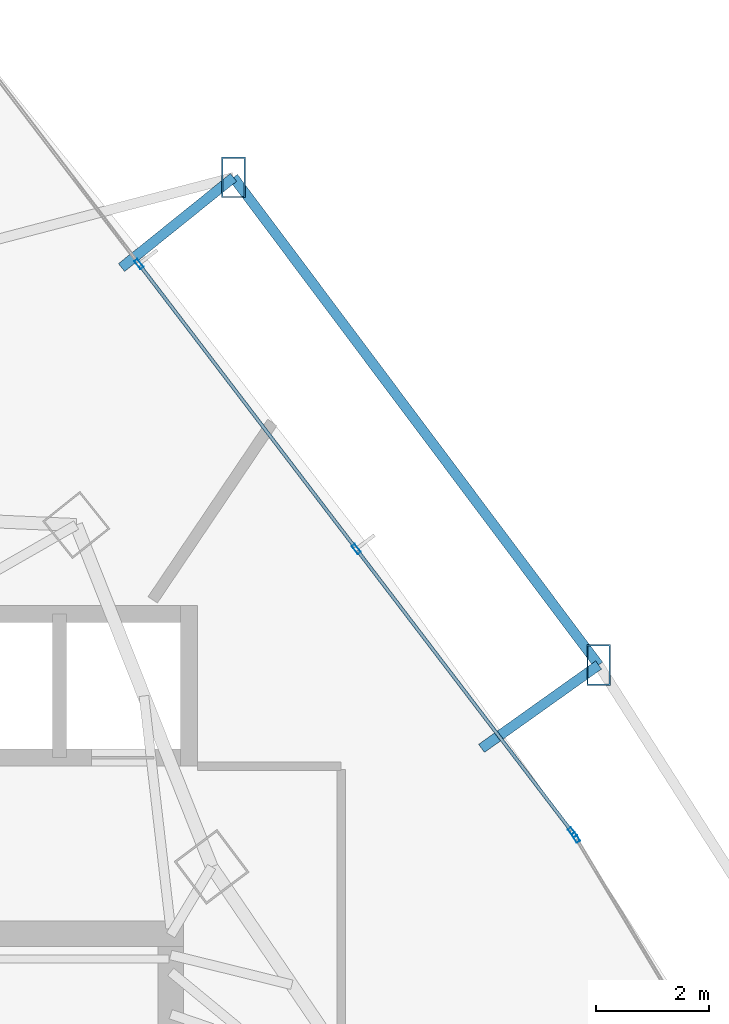
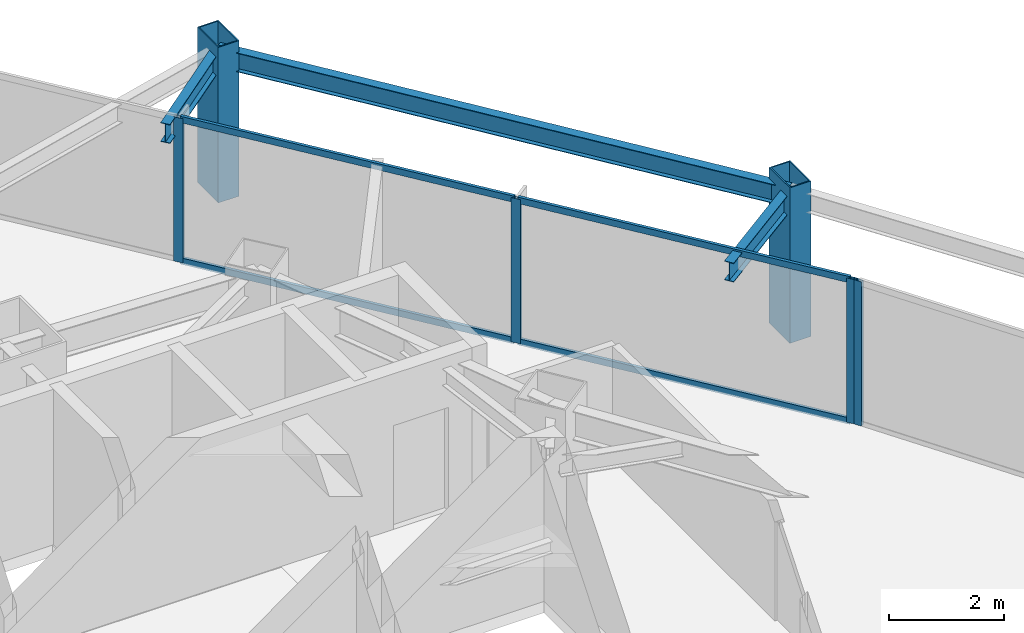
# One storey, part 29 of 37: 10 members, 3 beams, 2 elements without a shape of their own.
"""IFC4 building model written with IfcOpenShell, lengths in metres."""

from ifc_helpers import new_model, si_unit, direction, frame, origin, origin_2d, place, context, subcontext, project, spatial, hollow_rectangle, i_section, extrude, material, layer, layer_set, material_profile, profile_set, type_object, element, aggregate, save


model = new_model("IFC4")

# Units and contexts
model_context = context("Model", 3, precision=1e-05, world=origin(), true_north=direction((0.0, 1.0)))
body_context = subcontext(model_context, "Body", "Model", "MODEL_VIEW")
ifc_project = project(units=[si_unit("LENGTHUNIT", "METRE"), si_unit("AREAUNIT", "SQUARE_METRE"), si_unit("VOLUMEUNIT", "CUBIC_METRE"), si_unit("PLANEANGLEUNIT", "RADIAN"), si_unit("MASSUNIT", "GRAM", prefix="KILO")], contexts=[model_context])

# Site, building, storey
site_placement = place(None, origin())
site = spatial("IfcSite", under=ifc_project, at=site_placement, CompositionType="ELEMENT")
building_placement = place(site_placement, origin())
building = spatial("IfcBuilding", under=site, at=building_placement, Name="Orvanel Arch Residences", CompositionType="ELEMENT")
storey_placement = place(building_placement, frame((0.0, 0.0, 53.300048828125)))
storey = spatial("IfcBuildingStorey", under=building, at=storey_placement, Name="L14", CompositionType="ELEMENT", Elevation=53.300048828125)

# Members
ifc_material_1 = material(Name="Structural steel AS/NZS 3678 Grade 350", Category="steel")
ifc_material_profile_1 = material_profile(ifc_material_1, hollow_rectangle(XDim=0.419921875, YDim=0.719970703125, WallThickness=0.02490234375, at=origin_2d()), Name="RHS720x420x25")
ifc_profile_set_1 = profile_set([ifc_material_profile_1], Name="Structural steel AS/NZS 3678 Grade 350")
member_type_1 = type_object("IfcMemberType", Name="CH-720RHS-EXT", PredefinedType="CHORD", material=ifc_profile_set_1)
for number, where, z_axis, x_axis, name in (
    (1, (47.217041015625, 38.694091796875, 0.0), (0.0, 0.0, 1.0), (1.0, 0.0, 0.0), "L14 Outer Perimeter Frame Post 11"),
    (2, (40.739990234375, 47.343994140625, 0.0), (0.0, 0.0, 1.0), (1.0, 0.0, 0.0), "L14 Outer Perimeter Frame Post 12"),
):
    element("IfcMember", number, at=place(storey_placement, frame(where, z_axis=z_axis, x_axis=x_axis)), inside=storey, type_object=member_type_1, Name=name, PredefinedType="CHORD", context=body_context, shape_type="SweptSolid", body=[
        extrude(hollow_rectangle(XDim=0.419921875, YDim=0.719970703125, WallThickness=0.02490234375, at=origin_2d()), origin(), (0.0, 0.0, 1.0), 3.300048828125),
    ])

# Curtain wall, member
ifc_material_2 = material(Name="Bronze-anodised aluminium AA6063-T6", Category="aluminium")
ifc_layer = layer(ifc_material_2, 0.179931640625)
ifc_layer_set = layer_set([ifc_layer], Name="Bronze-anodised aluminium AA6063-T6")
curtain_wall_type = type_object("IfcCurtainWallType", Name="CW2-LOW-SYS", PredefinedType="NOTDEFINED", material=ifc_layer_set)
curtain_wall_1_placement = place(storey_placement, origin())
curtain_wall_1 = element("IfcCurtainWall", 3, at=curtain_wall_1_placement, inside=storey, type_object=curtain_wall_type, Name="L14 CW2-LOW-SYS Unitised Curtain Wall", PredefinedType="NOTDEFINED")
ifc_material_profile_2 = material_profile(ifc_material_2, hollow_rectangle(XDim=0.070068359375, YDim=0.179931640625, WallThickness=0.00439453125, at=origin_2d()), Name="ALU180x70x4.5")
ifc_profile_set_2 = profile_set([ifc_material_profile_2], Name="Bronze-anodised aluminium AA6063-T6")
member_type_2 = type_object("IfcMemberType", Name="MUL-180x70", PredefinedType="MULLION", material=ifc_profile_set_2)
member_1_placement = place(storey_placement, frame((46.81298828125, 35.634033203125, 0.0), z_axis=(0.0, 0.0, 1.0), x_axis=(-0.857569793125, -0.514367621375, 0.0)))
member_1 = element("IfcMember", 4, at=member_1_placement, type_object=member_type_2, Name="CW-S2 mullion 3", PredefinedType="MULLION", context=body_context, shape_type="SweptSolid", body=[
    extrude(hollow_rectangle(XDim=0.070068359375, YDim=0.179931640625, WallThickness=0.00439453125, at=origin_2d()), origin(), (0.0, 0.0, 1.0), 3.06005859375),
])
aggregate(curtain_wall_1, [member_1])

# Curtain wall, members
curtain_wall_2_placement = place(storey_placement, origin())
curtain_wall_2 = element("IfcCurtainWall", 5, at=curtain_wall_2_placement, inside=storey, type_object=curtain_wall_type, Name="L14 CW2-LOW-SYS Unitised Curtain Wall", PredefinedType="NOTDEFINED")
member_2_placement = place(storey_placement, frame((46.751708984375, 35.724853515625, 0.0), z_axis=(0.0, 0.0, 1.0), x_axis=(-0.795174097037, -0.606381196444, 0.0)))
member_2 = element("IfcMember", 6, at=member_2_placement, type_object=member_type_2, Name="CW-S2 mullion 1", PredefinedType="MULLION", context=body_context, shape_type="SweptSolid", body=[
    extrude(hollow_rectangle(XDim=0.070068359375, YDim=0.179931640625, WallThickness=0.00439453125, at=origin_2d()), origin(), (0.0, 0.0, 1.0), 3.06005859375),
])
member_3_placement = place(storey_placement, frame((42.917724609375, 40.752685546875, 0.0), z_axis=(0.0, 0.0, 1.0), x_axis=(-0.795174097037, -0.606381196444, 0.0)))
member_3 = element("IfcMember", 7, at=member_3_placement, type_object=member_type_2, Name="CW-S2 mullion 2", PredefinedType="MULLION", context=body_context, shape_type="SweptSolid", body=[
    extrude(hollow_rectangle(XDim=0.070068359375, YDim=0.179931640625, WallThickness=0.00439453125, at=origin_2d()), origin(), (0.0, 0.0, 1.0), 3.06005859375),
])
member_4_placement = place(storey_placement, frame((39.062255859375, 45.808349609375, 0.0), z_axis=(0.0, 0.0, 1.0), x_axis=(-0.795174097037, -0.606381196444, 0.0)))
member_4 = element("IfcMember", 8, at=member_4_placement, type_object=member_type_2, Name="CW-S2 mullion 3", PredefinedType="MULLION", context=body_context, shape_type="SweptSolid", body=[
    extrude(hollow_rectangle(XDim=0.070068359375, YDim=0.179931640625, WallThickness=0.00439453125, at=origin_2d()), origin(), (0.0, 0.0, 1.0), 3.06005859375),
])

# Beams
ifc_material_3 = material(Name="Structural steel AS/NZS 3679.1 Grade 300 (300 MPa)", Category="steel")
ifc_material_profile_3 = material_profile(ifc_material_3, i_section(OverallWidth=0.177978515625, OverallDepth=0.406005859375, WebThickness=0.0078125, FlangeThickness=0.0126953125, at=origin_2d()), Name="410UB59.7")
ifc_profile_set_3 = profile_set([ifc_material_profile_3], Name="Structural steel AS/NZS 3679.1 Grade 300 (300 MPa)")
beam_type = type_object("IfcBeamType", Name="OB-410UB-EXT", PredefinedType="SPANDREL", material=ifc_profile_set_3)
beam_1_placement = place(storey_placement, frame((45.139892578125, 37.215087890625, 2.85693359375), z_axis=(0.814599447632, 0.580023913229, 0.0), x_axis=(-0.580023913229, 0.814599447632, 0.0)))
element("IfcBeam", 9, at=beam_1_placement, inside=storey, type_object=beam_type, Name="L14 Outer Frame Radial Tie Beam 11", PredefinedType="SPANDREL", context=body_context, shape_type="SweptSolid", body=[
    extrude(i_section(OverallWidth=0.177978515625, OverallDepth=0.406005859375, WebThickness=0.0078125, FlangeThickness=0.0126953125, at=origin_2d()), origin(), (0.0, 0.0, 1.0), 2.5498046875),
])
beam_2_placement = place(storey_placement, frame((47.217041015625, 38.694091796875, 2.85693359375), z_axis=(-0.599385300548, 0.800460655802, 0.0), x_axis=(-0.800460655802, -0.599385300548, 0.0)))
element("IfcBeam", 10, at=beam_2_placement, inside=storey, type_object=beam_type, Name="L14 Outer Perimeter Floor Ring Beam 11", PredefinedType="SPANDREL", context=body_context, shape_type="SweptSolid", body=[
    extrude(i_section(OverallWidth=0.177978515625, OverallDepth=0.406005859375, WebThickness=0.0078125, FlangeThickness=0.0126953125, at=origin_2d()), origin(), (0.0, 0.0, 1.0), 10.80615234375),
])
beam_3_placement = place(storey_placement, frame((38.75390625, 45.7451171875, 2.85693359375), z_axis=(0.778950081604, 0.627085935394, 0.0), x_axis=(-0.627085935394, 0.778950081604, 0.0)))
element("IfcBeam", 11, at=beam_3_placement, inside=storey, type_object=beam_type, Name="L14 Outer Frame Radial Tie Beam 12", PredefinedType="SPANDREL", context=body_context, shape_type="SweptSolid", body=[
    extrude(i_section(OverallWidth=0.177978515625, OverallDepth=0.406005859375, WebThickness=0.0078125, FlangeThickness=0.0126953125, at=origin_2d()), origin(), (0.0, 0.0, 1.0), 2.5498046875),
])

# Member
ifc_material_profile_4 = material_profile(ifc_material_2, hollow_rectangle(XDim=0.06005859375, YDim=0.135009765625, WallThickness=0.00390625, at=origin_2d()), Name="ALU135x60x4")
ifc_profile_set_4 = profile_set([ifc_material_profile_4], Name="Bronze-anodised aluminium AA6063-T6")
member_type_3 = type_object("IfcMemberType", Name="TRN-135x60", PredefinedType="USERDEFINED", material=ifc_profile_set_4)
member_5_placement = place(storey_placement, frame((46.73046875, 35.752685546875, 0.030029296875), z_axis=(-0.606365495041, 0.795186070316, 0.0), x_axis=(-0.795186070316, -0.606365495041, 0.0)))
member_5 = element("IfcMember", 12, at=member_5_placement, type_object=member_type_3, Name="CW-S2 transom 1.1", ObjectType="TRANSOM", PredefinedType="USERDEFINED", context=body_context, shape_type="SweptSolid", body=[
    extrude(hollow_rectangle(XDim=0.06005859375, YDim=0.135009765625, WallThickness=0.00390625, at=origin_2d()), origin(), (0.0, 0.0, 1.0), 6.2529296875),
])

member_6_placement = place(storey_placement, frame((46.73046875, 35.752685546875, 3.030029296875), z_axis=(-0.606365495041, 0.795186070316, 0.0), x_axis=(-0.795186070316, -0.606365495041, 0.0)))
member_6 = element("IfcMember", 13, at=member_6_placement, type_object=member_type_3, Name="CW-S2 transom 1.2", ObjectType="TRANSOM", PredefinedType="USERDEFINED", context=body_context, shape_type="SweptSolid", body=[
    extrude(hollow_rectangle(XDim=0.06005859375, YDim=0.135009765625, WallThickness=0.00390625, at=origin_2d()), origin(), (0.0, 0.0, 1.0), 6.2529296875),
])

member_7_placement = place(storey_placement, frame((42.896484375, 40.780517578125, 0.030029296875), z_axis=(-0.606391759687, 0.795166041644, 0.0), x_axis=(-0.795166041644, -0.606391759687, 0.0)))
member_7 = element("IfcMember", 14, at=member_7_placement, type_object=member_type_3, Name="CW-S2 transom 2.1", ObjectType="TRANSOM", PredefinedType="USERDEFINED", context=body_context, shape_type="SweptSolid", body=[
    extrude(hollow_rectangle(XDim=0.06005859375, YDim=0.135009765625, WallThickness=0.00390625, at=origin_2d()), origin(), (0.0, 0.0, 1.0), 6.2880859375),
])

member_8_placement = place(storey_placement, frame((42.896484375, 40.780517578125, 3.030029296875), z_axis=(-0.606391759687, 0.795166041644, 0.0), x_axis=(-0.795166041644, -0.606391759687, 0.0)))
member_8 = element("IfcMember", 15, at=member_8_placement, type_object=member_type_3, Name="CW-S2 transom 2.2", ObjectType="TRANSOM", PredefinedType="USERDEFINED", context=body_context, shape_type="SweptSolid", body=[
    extrude(hollow_rectangle(XDim=0.06005859375, YDim=0.135009765625, WallThickness=0.00390625, at=origin_2d()), origin(), (0.0, 0.0, 1.0), 6.2880859375),
])

aggregate(curtain_wall_2, [member_2, member_3, member_4, member_5, member_6, member_7, member_8])

save(model, "model.ifc")
